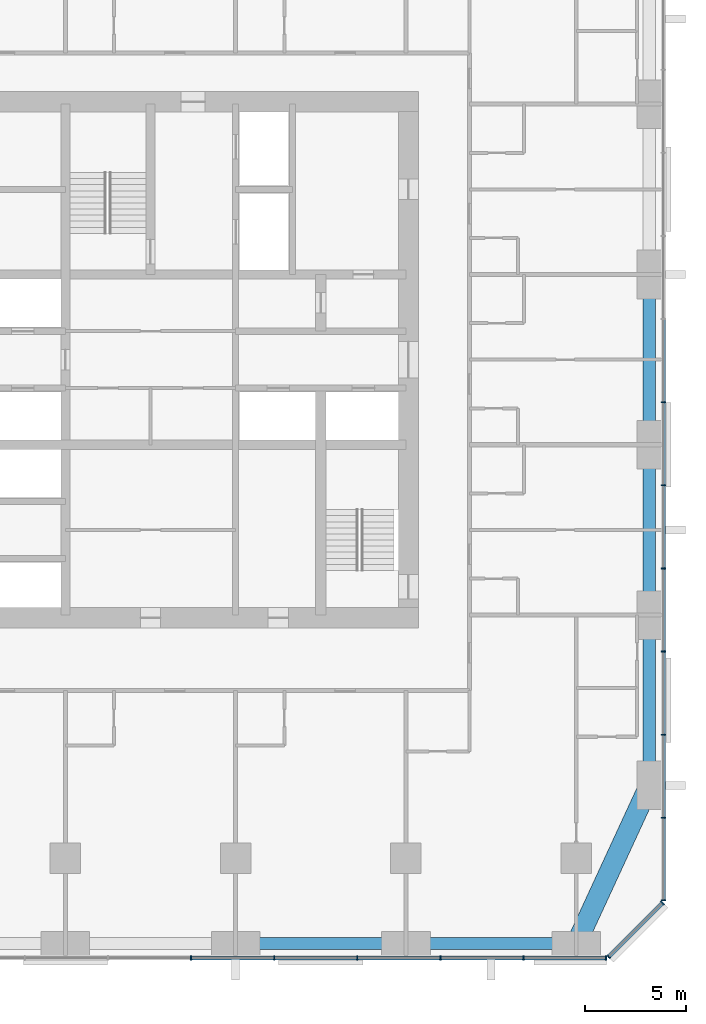
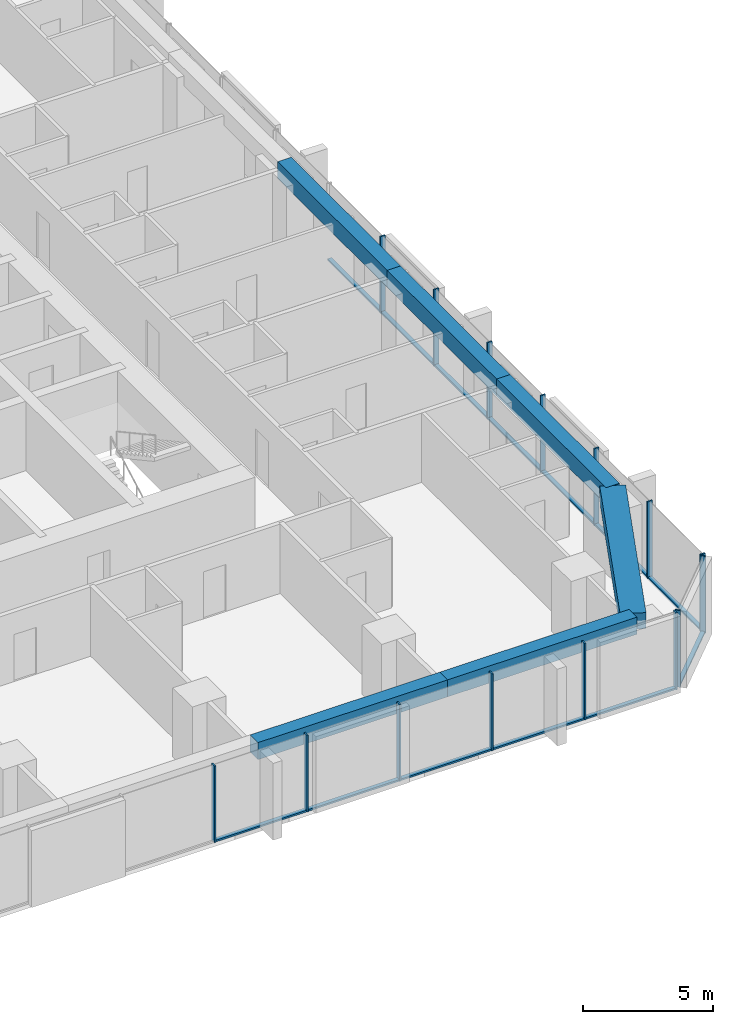
# One storey, part 4 of 13: 28 members, 6 beams, 3 elements without a shape of their own.
"""IFC4 building model written with IfcOpenShell, lengths in metres."""

import ifcopenshell
import ifcopenshell.guid

model = None  # the IFC model being written
_history = None  # IfcOwnerHistory: only IFC2X3 demands one
_inside = {}  # id of a spatial element -> (the spatial element, [elements in it])
_under = {}  # id of a project, library or spatial element -> (it, [spatial elements below it])
_declared = {}  # id of a project -> (the project, [libraries it declares])
_typed = {}  # id of a type object -> (the type object, [elements of that type])
_made_of = {}  # id of a material, layer set ... -> (it, [elements and type objects made of it])


def new_model(schema):
    """Start an empty IFC model of exactly this schema.

    Asked for "IFC4X3", IfcOpenShell would pick the latest addendum, in which some entities
    have other attributes; the version numbers below select the first issue.
    IFC2X3 requires an IfcOwnerHistory on every rooted entity: one is made here for all.
    """
    global model, _history
    if schema == "IFC4X3":
        model = ifcopenshell.file(schema_version=(4, 3, 0, 0))
    else:
        model = ifcopenshell.file(schema=schema)
    _inside.clear()
    _under.clear()
    _declared.clear()
    _typed.clear()
    _made_of.clear()
    _history = None
    if model.schema == "IFC2X3":
        org = make("IfcOrganization", Name="unknown")
        user = make(
            "IfcPersonAndOrganization",
            ThePerson=make("IfcPerson", FamilyName="unknown"),
            TheOrganization=org,
        )
        app = make(
            "IfcApplication",
            ApplicationDeveloper=org,
            Version="unknown",
            ApplicationFullName="unknown",
            ApplicationIdentifier="unknown",
        )
        _history = make(
            "IfcOwnerHistory",
            OwningUser=user,
            OwningApplication=app,
            ChangeAction="ADDED",
            CreationDate=0,
        )
    return model


def make(cls, **values):
    """One entity of the class cls with the attributes given. An attribute that is None is left unset."""
    return model.create_entity(
        cls, **{name: value for name, value in values.items() if value is not None}
    )


def rooted(cls, **values):
    """An entity with a GlobalId (a new one), such as an element, a storey or a relation."""
    return make(cls, GlobalId=ifcopenshell.guid.new(), OwnerHistory=_history, **values)


def si_unit(unit_type, name, prefix=None):
    """IfcSIUnit, for example si_unit("LENGTHUNIT", "METRE", prefix="MILLI")."""
    return make("IfcSIUnit", UnitType=unit_type, Prefix=prefix, Name=name)


def assignment(units):
    """IfcUnitAssignment: the units of a project."""
    return None if units is None else make("IfcUnitAssignment", Units=units)


def point(xyz):
    """IfcCartesianPoint."""
    return None if xyz is None else make("IfcCartesianPoint", Coordinates=xyz)


def direction(xyz):
    """IfcDirection."""
    return None if xyz is None else make("IfcDirection", DirectionRatios=xyz)


def frame(location, z_axis=None, x_axis=None):
    """IfcAxis2Placement3D, a coordinate frame: its origin and axes. An axis left out is left unset."""
    return make(
        "IfcAxis2Placement3D",
        Location=point(location),
        Axis=direction(z_axis),
        RefDirection=direction(x_axis),
    )


def frame_2d(location, x_axis=None):
    """IfcAxis2Placement2D, a coordinate frame in the plane: its origin and x axis."""
    return make(
        "IfcAxis2Placement2D", Location=point(location), RefDirection=direction(x_axis)
    )


def origin():
    """The frame at (0, 0, 0) with its axes left unset."""
    return frame((0.0, 0.0, 0.0))


def origin_2d():
    """The frame at (0, 0) in the plane with its x axis left unset."""
    return frame_2d((0.0, 0.0))


def place(relative_to, where):
    """IfcLocalPlacement: puts the frame where relative to a parent placement (None: the world)."""
    return make(
        "IfcLocalPlacement", PlacementRelTo=relative_to, RelativePlacement=where
    )


def context(
    kind, dimensions, precision=None, world=None, true_north=None, identifier=None
):
    """IfcGeometricRepresentationContext, for example the 3D "Model" context."""
    return make(
        "IfcGeometricRepresentationContext",
        ContextIdentifier=identifier,
        ContextType=kind,
        CoordinateSpaceDimension=dimensions,
        Precision=precision,
        WorldCoordinateSystem=world,
        TrueNorth=true_north,
    )


def subcontext(parent, identifier, kind, view, scale=None):
    """IfcGeometricRepresentationSubContext, for example "Body" below "Model"."""
    return make(
        "IfcGeometricRepresentationSubContext",
        ContextIdentifier=identifier,
        ContextType=kind,
        ParentContext=parent,
        TargetScale=scale,
        TargetView=view,
    )


def project(units=None, contexts=None):
    """IfcProject with its units and contexts."""
    return rooted(
        "IfcProject",
        Name="project",
        RepresentationContexts=contexts,
        UnitsInContext=assignment(units),
    )


def spatial(cls, under=None, at=None, **own):
    """A site, building, storey or space (cls), placed at a placement, below another one or the project."""
    s = rooted(cls, ObjectPlacement=at, **own)
    if under is not None:
        _under.setdefault(under.id(), (under, []))[1].append(s)
    return s


def profile(cls, at=None, kind="AREA", **sizes):
    """A parametric profile (cls). Its sizes go by their IFC names, for example OverallWidth=200.0."""
    return make(cls, ProfileType=kind, Position=at, **sizes)


def rectangle(**sizes):
    """IfcRectangleProfileDef."""
    return profile("IfcRectangleProfileDef", **sizes)


def extrude(swept, where, along, depth):
    """IfcExtrudedAreaSolid: the profile swept, set in the frame where, extruded along a direction by depth."""
    return make(
        "IfcExtrudedAreaSolid",
        SweptArea=swept,
        Position=where,
        ExtrudedDirection=direction(along),
        Depth=depth,
    )


def shape(context_of_items, identifier, shape_type, items):
    """IfcShapeRepresentation: the items that make up one representation, for example the "Body"."""
    return make(
        "IfcShapeRepresentation",
        ContextOfItems=context_of_items,
        RepresentationIdentifier=identifier,
        RepresentationType=shape_type,
        Items=items,
    )


def material(Name=None, Category=None):
    """IfcMaterial."""
    return make("IfcMaterial", Name=Name, Category=Category)


def material_profile(
    of_material, cross_section, Name=None, Category=None, Priority=None
):
    """IfcMaterialProfile: a cross section and its material."""
    return make(
        "IfcMaterialProfile",
        Name=Name,
        Material=of_material,
        Profile=cross_section,
        Priority=Priority,
        Category=Category,
    )


def profile_set(profiles, Name=None, composite=None):
    """IfcMaterialProfileSet."""
    return make(
        "IfcMaterialProfileSet",
        Name=Name,
        MaterialProfiles=profiles,
        CompositeProfile=composite,
    )


def made_of(thing, what):
    """Note that an element or type object is made of a material, layer set ...; save() writes the relation."""
    if what is not None:
        _made_of.setdefault(what.id(), (what, []))[1].append(thing)
    return thing


def type_object(cls, material=None, **own):
    """A type object (cls), such as IfcWallType, which elements share."""
    return made_of(rooted(cls, **own), material)


def element(
    cls,
    number,
    at=None,
    inside=None,
    cuts=None,
    type_object=None,
    material=None,
    context=None,
    identifier="Body",
    shape_type=None,
    held_by="IfcProductDefinitionShape",
    body=None,
    shapes=None,
    **own,
):
    """One element of the class cls, such as IfcWall. Its Tag is "e" and its number.

    at: its placement. inside: the storey or other place that contains it. cuts: it is an
    opening in that element (IfcRelVoidsElement). A single representation is given by context,
    identifier, shape_type and body (its items); several are given by shapes. held_by: the class
    of the entity that holds the representations. save() writes the other relations.
    """
    e = rooted(cls, Tag="e%d" % number, ObjectPlacement=at, **own)
    if body is not None:
        shapes = [shape(context, identifier, shape_type, body)]
    if shapes is not None:
        e.Representation = make(held_by, Representations=shapes)
    if inside is not None:
        _inside.setdefault(inside.id(), (inside, []))[1].append(e)
    if cuts is not None:
        rooted(
            "IfcRelVoidsElement", RelatingBuildingElement=cuts, RelatedOpeningElement=e
        )
    if type_object is not None:
        _typed.setdefault(type_object.id(), (type_object, []))[1].append(e)
    return made_of(e, material)


def aggregate(whole, parts):
    """IfcRelAggregates: a whole, such as a stair, and the parts it consists of."""
    return rooted("IfcRelAggregates", RelatingObject=whole, RelatedObjects=parts)


def save(model, path):
    """Write the relations noted so far, then the file.

    IfcRelAggregates (storeys below a building ...), IfcRelContainedInSpatialStructure (elements
    in a storey), IfcRelDefinesByType, IfcRelAssociatesMaterial and IfcRelDeclares: one each for
    every whole, place, type object, material and project.
    """
    for whole, parts in _under.values():
        aggregate(whole, parts)
    for where, things in _inside.values():
        rooted(
            "IfcRelContainedInSpatialStructure",
            RelatedElements=things,
            RelatingStructure=where,
        )
    for kind, things in _typed.values():
        rooted("IfcRelDefinesByType", RelatedObjects=things, RelatingType=kind)
    for what, things in _made_of.values():
        rooted("IfcRelAssociatesMaterial", RelatedObjects=things, RelatingMaterial=what)
    for by, libraries in _declared.values():
        rooted("IfcRelDeclares", RelatingContext=by, RelatedDefinitions=libraries)
    model.write(path)


model = new_model("IFC4")

# Units and contexts
model_context = context("Model", 3, precision=1e-05, world=origin(), true_north=direction((0.0, 1.0)))
body_context = subcontext(model_context, "Body", "Model", "MODEL_VIEW")
ifc_project = project(units=[si_unit("LENGTHUNIT", "METRE"), si_unit("AREAUNIT", "SQUARE_METRE"), si_unit("VOLUMEUNIT", "CUBIC_METRE"), si_unit("PLANEANGLEUNIT", "RADIAN"), si_unit("MASSUNIT", "GRAM", prefix="KILO")], contexts=[model_context])

# Site, building, storey
site_placement = place(None, origin())
site = spatial("IfcSite", under=ifc_project, at=site_placement, CompositionType="ELEMENT")
building_placement = place(site_placement, origin())
building = spatial("IfcBuilding", under=site, at=building_placement, Name="Dunama Terrace Hotel", CompositionType="ELEMENT")
storey_placement = place(building_placement, frame((0.0, 0.0, 118.800048828125)))
storey = spatial("IfcBuildingStorey", under=building, at=storey_placement, Name="L30", CompositionType="ELEMENT", Elevation=118.800048828125)

# Curtain wall, members
ifc_material_1 = material(Name="Aluminium curtain wall system", Category="aluminium")
curtain_wall_type = type_object("IfcCurtainWallType", Name="Unitised fritted glass wall CW-B", PredefinedType="NOTDEFINED", material=ifc_material_1)
curtain_wall_1_placement = place(storey_placement, origin())
curtain_wall_1 = element("IfcCurtainWall", 1, at=curtain_wall_1_placement, inside=storey, type_object=curtain_wall_type, Name="Unitised fritted glass wall CW-B L30", PredefinedType="NOTDEFINED")
ifc_material_2 = material(Name="Aluminium mullion", Category="aluminium")
ifc_material_profile_1 = material_profile(ifc_material_2, rectangle(XDim=0.06494140625, YDim=0.219970703125, at=origin_2d()), Name="CWB MULLION 65X220")
ifc_profile_set_1 = profile_set([ifc_material_profile_1], Name="Aluminium mullion")
member_type_1 = type_object("IfcMemberType", Name="CWB mullion 65x220", PredefinedType="MULLION", material=ifc_profile_set_1)
member_1_placement = place(storey_placement, frame((31.39990234375, -0.110107421875, 0.0), z_axis=(0.0, 0.0, 1.0), x_axis=(1.0, 0.0, 0.0)))
member_1 = element("IfcMember", 2, at=member_1_placement, type_object=member_type_1, Name="CWB mullion", PredefinedType="MULLION", context=body_context, shape_type="SweptSolid", body=[
    extrude(rectangle(XDim=0.06494140625, YDim=0.219970703125, at=origin_2d()), origin(), (0.0, 0.0, 1.0), 3.599853515625),
])
member_2_placement = place(storey_placement, frame((35.5, -0.110107421875, 0.0), z_axis=(0.0, 0.0, 1.0), x_axis=(1.0, 0.0, 0.0)))
member_2 = element("IfcMember", 3, at=member_2_placement, type_object=member_type_1, Name="CWB mullion", PredefinedType="MULLION", context=body_context, shape_type="SweptSolid", body=[
    extrude(rectangle(XDim=0.06494140625, YDim=0.219970703125, at=origin_2d()), origin(), (0.0, 0.0, 1.0), 3.599853515625),
])
member_3_placement = place(storey_placement, frame((39.60009765625, -0.110107421875, 0.0), z_axis=(0.0, 0.0, 1.0), x_axis=(1.0, 0.0, 0.0)))
member_3 = element("IfcMember", 4, at=member_3_placement, type_object=member_type_1, Name="CWB mullion", PredefinedType="MULLION", context=body_context, shape_type="SweptSolid", body=[
    extrude(rectangle(XDim=0.06494140625, YDim=0.219970703125, at=origin_2d()), origin(), (0.0, 0.0, 1.0), 3.599853515625),
])
member_4_placement = place(storey_placement, frame((43.699951171875, -0.110107421875, 0.0), z_axis=(0.0, 0.0, 1.0), x_axis=(1.0, 0.0, 0.0)))
member_4 = element("IfcMember", 5, at=member_4_placement, type_object=member_type_1, Name="CWB mullion", PredefinedType="MULLION", context=body_context, shape_type="SweptSolid", body=[
    extrude(rectangle(XDim=0.06494140625, YDim=0.219970703125, at=origin_2d()), origin(), (0.0, 0.0, 1.0), 3.599853515625),
])
member_5_placement = place(storey_placement, frame((47.800048828125, -0.110107421875, 0.0), z_axis=(0.0, 0.0, 1.0), x_axis=(1.0, 0.0, 0.0)))
member_5 = element("IfcMember", 6, at=member_5_placement, type_object=member_type_1, Name="CWB mullion", PredefinedType="MULLION", context=body_context, shape_type="SweptSolid", body=[
    extrude(rectangle(XDim=0.06494140625, YDim=0.219970703125, at=origin_2d()), origin(), (0.0, 0.0, 1.0), 3.599853515625),
])
member_6_placement = place(storey_placement, frame((51.866943359375, -0.110107421875, 0.0), z_axis=(0.0, 0.0, 1.0), x_axis=(1.0, 0.0, 0.0)))
member_6 = element("IfcMember", 7, at=member_6_placement, type_object=member_type_1, Name="CWB mullion", PredefinedType="MULLION", context=body_context, shape_type="SweptSolid", body=[
    extrude(rectangle(XDim=0.06494140625, YDim=0.219970703125, at=origin_2d()), origin(), (0.0, 0.0, 1.0), 3.599853515625),
])

curtain_wall_2_placement = place(storey_placement, origin())
curtain_wall_2 = element("IfcCurtainWall", 8, at=curtain_wall_2_placement, inside=storey, type_object=curtain_wall_type, Name="Unitised fritted glass wall CW-B L30", PredefinedType="NOTDEFINED")
member_7_placement = place(storey_placement, frame((52.0009765625, -0.054931640625, 0.0), z_axis=(0.0, 0.0, 1.0), x_axis=(0.707106781187, 0.707106781187, 0.0)))
member_7 = element("IfcMember", 9, at=member_7_placement, type_object=member_type_1, Name="CWB mullion", PredefinedType="MULLION", context=body_context, shape_type="SweptSolid", body=[
    extrude(rectangle(XDim=0.06494140625, YDim=0.219970703125, at=origin_2d()), origin(), (0.0, 0.0, 1.0), 3.599853515625),
])
member_8_placement = place(storey_placement, frame((54.655029296875, 2.59912109375, 0.0), z_axis=(0.0, 0.0, 1.0), x_axis=(0.707106781187, 0.707106781187, 0.0)))
member_8 = element("IfcMember", 10, at=member_8_placement, type_object=member_type_1, Name="CWB mullion", PredefinedType="MULLION", context=body_context, shape_type="SweptSolid", body=[
    extrude(rectangle(XDim=0.06494140625, YDim=0.219970703125, at=origin_2d()), origin(), (0.0, 0.0, 1.0), 3.599853515625),
])

curtain_wall_3_placement = place(storey_placement, origin())
curtain_wall_3 = element("IfcCurtainWall", 11, at=curtain_wall_3_placement, inside=storey, type_object=curtain_wall_type, Name="Unitised fritted glass wall CW-B L30", PredefinedType="NOTDEFINED")
member_9_placement = place(storey_placement, frame((54.7099609375, 2.73291015625, 0.0), z_axis=(0.0, 0.0, 1.0), x_axis=(0.0, 1.0, 0.0)))
member_9 = element("IfcMember", 12, at=member_9_placement, type_object=member_type_1, Name="CWB mullion", PredefinedType="MULLION", context=body_context, shape_type="SweptSolid", body=[
    extrude(rectangle(XDim=0.06494140625, YDim=0.219970703125, at=origin_2d()), origin(), (0.0, 0.0, 1.0), 3.599853515625),
])
member_10_placement = place(storey_placement, frame((54.7099609375, 6.800048828125, 0.0), z_axis=(0.0, 0.0, 1.0), x_axis=(0.0, 1.0, 0.0)))
member_10 = element("IfcMember", 13, at=member_10_placement, type_object=member_type_1, Name="CWB mullion", PredefinedType="MULLION", context=body_context, shape_type="SweptSolid", body=[
    extrude(rectangle(XDim=0.06494140625, YDim=0.219970703125, at=origin_2d()), origin(), (0.0, 0.0, 1.0), 3.599853515625),
])
member_11_placement = place(storey_placement, frame((54.7099609375, 10.89990234375, 0.0), z_axis=(0.0, 0.0, 1.0), x_axis=(0.0, 1.0, 0.0)))
member_11 = element("IfcMember", 14, at=member_11_placement, type_object=member_type_1, Name="CWB mullion", PredefinedType="MULLION", context=body_context, shape_type="SweptSolid", body=[
    extrude(rectangle(XDim=0.06494140625, YDim=0.219970703125, at=origin_2d()), origin(), (0.0, 0.0, 1.0), 3.599853515625),
])
member_12_placement = place(storey_placement, frame((54.7099609375, 15.0, 0.0), z_axis=(0.0, 0.0, 1.0), x_axis=(0.0, 1.0, 0.0)))
member_12 = element("IfcMember", 15, at=member_12_placement, type_object=member_type_1, Name="CWB mullion", PredefinedType="MULLION", context=body_context, shape_type="SweptSolid", body=[
    extrude(rectangle(XDim=0.06494140625, YDim=0.219970703125, at=origin_2d()), origin(), (0.0, 0.0, 1.0), 3.599853515625),
])
member_13_placement = place(storey_placement, frame((54.7099609375, 19.10009765625, 0.0), z_axis=(0.0, 0.0, 1.0), x_axis=(0.0, 1.0, 0.0)))
member_13 = element("IfcMember", 16, at=member_13_placement, type_object=member_type_1, Name="CWB mullion", PredefinedType="MULLION", context=body_context, shape_type="SweptSolid", body=[
    extrude(rectangle(XDim=0.06494140625, YDim=0.219970703125, at=origin_2d()), origin(), (0.0, 0.0, 1.0), 3.599853515625),
])
member_14_placement = place(storey_placement, frame((54.7099609375, 23.199951171875, 0.0), z_axis=(0.0, 0.0, 1.0), x_axis=(0.0, 1.0, 0.0)))
member_14 = element("IfcMember", 17, at=member_14_placement, type_object=member_type_1, Name="CWB mullion", PredefinedType="MULLION", context=body_context, shape_type="SweptSolid", body=[
    extrude(rectangle(XDim=0.06494140625, YDim=0.219970703125, at=origin_2d()), origin(), (0.0, 0.0, 1.0), 3.599853515625),
])
member_15_placement = place(storey_placement, frame((54.7099609375, 27.300048828125, 0.0), z_axis=(0.0, 0.0, 1.0), x_axis=(0.0, 1.0, 0.0)))
member_15 = element("IfcMember", 18, at=member_15_placement, type_object=member_type_1, Name="CWB mullion", PredefinedType="MULLION", context=body_context, shape_type="SweptSolid", body=[
    extrude(rectangle(XDim=0.06494140625, YDim=0.219970703125, at=origin_2d()), origin(), (0.0, 0.0, 1.0), 3.599853515625),
])

# Member
ifc_material_3 = material(Name="Aluminium transom", Category="aluminium")
ifc_material_profile_2 = material_profile(ifc_material_3, rectangle(XDim=0.179931640625, YDim=0.080078125, at=origin_2d()), Name="CWB TRANSOM 180X80")
ifc_profile_set_2 = profile_set([ifc_material_profile_2], Name="Aluminium transom")
member_type_2 = type_object("IfcMemberType", Name="CWB transom 180x80", PredefinedType="USERDEFINED", material=ifc_profile_set_2)
member_16_placement = place(storey_placement, frame((31.431884765625, -0.110107421875, 0.0400390625), z_axis=(1.0, 0.0, 0.0), x_axis=(0.0, 1.0, 0.0)))
member_16 = element("IfcMember", 19, at=member_16_placement, type_object=member_type_2, Name="CWB transom", ObjectType="TRANSOM", PredefinedType="USERDEFINED", context=body_context, shape_type="SweptSolid", body=[
    extrude(rectangle(XDim=0.179931640625, YDim=0.080078125, at=origin_2d()), origin(), (0.0, 0.0, 1.0), 4.0361328125),
])

member_17_placement = place(storey_placement, frame((35.531982421875, -0.110107421875, 0.0400390625), z_axis=(1.0, 0.0, 0.0), x_axis=(0.0, 1.0, 0.0)))
member_17 = element("IfcMember", 20, at=member_17_placement, type_object=member_type_2, Name="CWB transom", ObjectType="TRANSOM", PredefinedType="USERDEFINED", context=body_context, shape_type="SweptSolid", body=[
    extrude(rectangle(XDim=0.179931640625, YDim=0.080078125, at=origin_2d()), origin(), (0.0, 0.0, 1.0), 4.0361328125),
])

member_18_placement = place(storey_placement, frame((39.633056640625, -0.110107421875, 0.0400390625), z_axis=(1.0, 0.0, 0.0), x_axis=(0.0, 1.0, 0.0)))
member_18 = element("IfcMember", 21, at=member_18_placement, type_object=member_type_2, Name="CWB transom", ObjectType="TRANSOM", PredefinedType="USERDEFINED", context=body_context, shape_type="SweptSolid", body=[
    extrude(rectangle(XDim=0.179931640625, YDim=0.080078125, at=origin_2d()), origin(), (0.0, 0.0, 1.0), 4.034912109375),
])

member_19_placement = place(storey_placement, frame((43.73291015625, -0.110107421875, 0.0400390625), z_axis=(1.0, 0.0, 0.0), x_axis=(0.0, 1.0, 0.0)))
member_19 = element("IfcMember", 22, at=member_19_placement, type_object=member_type_2, Name="CWB transom", ObjectType="TRANSOM", PredefinedType="USERDEFINED", context=body_context, shape_type="SweptSolid", body=[
    extrude(rectangle(XDim=0.179931640625, YDim=0.080078125, at=origin_2d()), origin(), (0.0, 0.0, 1.0), 4.0341796875),
])

member_20_placement = place(storey_placement, frame((47.83203125, -0.110107421875, 0.0400390625), z_axis=(1.0, 0.0, 0.0), x_axis=(0.0, 1.0, 0.0)))
member_20 = element("IfcMember", 23, at=member_20_placement, type_object=member_type_2, Name="CWB transom", ObjectType="TRANSOM", PredefinedType="USERDEFINED", context=body_context, shape_type="SweptSolid", body=[
    extrude(rectangle(XDim=0.179931640625, YDim=0.080078125, at=origin_2d()), origin(), (0.0, 0.0, 1.0), 4.0029296875),
])

aggregate(curtain_wall_1, [member_1, member_2, member_3, member_4, member_5, member_6, member_16, member_17, member_18, member_19, member_20])

member_21_placement = place(storey_placement, frame((52.02392578125, -0.031982421875, 0.0400390625), z_axis=(0.707139876915, 0.707073683909, 0.0), x_axis=(-0.707073683909, 0.707139876915, 0.0)))
member_21 = element("IfcMember", 24, at=member_21_placement, type_object=member_type_2, Name="CWB transom", ObjectType="TRANSOM", PredefinedType="USERDEFINED", context=body_context, shape_type="SweptSolid", body=[
    extrude(rectangle(XDim=0.179931640625, YDim=0.080078125, at=origin_2d()), origin(), (0.0, 0.0, 1.0), 3.688232421875),
])

aggregate(curtain_wall_2, [member_7, member_8, member_21])

member_22_placement = place(storey_placement, frame((54.7099609375, 2.764892578125, 0.0400390625), z_axis=(0.0, 1.0, 0.0), x_axis=(-1.0, 0.0, 0.0)))
member_22 = element("IfcMember", 25, at=member_22_placement, type_object=member_type_2, Name="CWB transom", ObjectType="TRANSOM", PredefinedType="USERDEFINED", context=body_context, shape_type="SweptSolid", body=[
    extrude(rectangle(XDim=0.179931640625, YDim=0.080078125, at=origin_2d()), origin(), (0.0, 0.0, 1.0), 4.003173828125),
])

member_23_placement = place(storey_placement, frame((54.7099609375, 6.83203125, 0.0400390625), z_axis=(0.0, 1.0, 0.0), x_axis=(-1.0, 0.0, 0.0)))
member_23 = element("IfcMember", 26, at=member_23_placement, type_object=member_type_2, Name="CWB transom", ObjectType="TRANSOM", PredefinedType="USERDEFINED", context=body_context, shape_type="SweptSolid", body=[
    extrude(rectangle(XDim=0.179931640625, YDim=0.080078125, at=origin_2d()), origin(), (0.0, 0.0, 1.0), 4.034912109375),
])

member_24_placement = place(storey_placement, frame((54.7099609375, 10.93310546875, 0.0400390625), z_axis=(0.0, 1.0, 0.0), x_axis=(-1.0, 0.0, 0.0)))
member_24 = element("IfcMember", 27, at=member_24_placement, type_object=member_type_2, Name="CWB transom", ObjectType="TRANSOM", PredefinedType="USERDEFINED", context=body_context, shape_type="SweptSolid", body=[
    extrude(rectangle(XDim=0.179931640625, YDim=0.080078125, at=origin_2d()), origin(), (0.0, 0.0, 1.0), 4.033935546875),
])

member_25_placement = place(storey_placement, frame((54.7099609375, 15.031982421875, 0.0400390625), z_axis=(0.0, 1.0, 0.0), x_axis=(-1.0, 0.0, 0.0)))
member_25 = element("IfcMember", 28, at=member_25_placement, type_object=member_type_2, Name="CWB transom", ObjectType="TRANSOM", PredefinedType="USERDEFINED", context=body_context, shape_type="SweptSolid", body=[
    extrude(rectangle(XDim=0.179931640625, YDim=0.080078125, at=origin_2d()), origin(), (0.0, 0.0, 1.0), 4.034912109375),
])

member_26_placement = place(storey_placement, frame((54.7099609375, 19.132080078125, 0.0400390625), z_axis=(0.0, 1.0, 0.0), x_axis=(-1.0, 0.0, 0.0)))
member_26 = element("IfcMember", 29, at=member_26_placement, type_object=member_type_2, Name="CWB transom", ObjectType="TRANSOM", PredefinedType="USERDEFINED", context=body_context, shape_type="SweptSolid", body=[
    extrude(rectangle(XDim=0.179931640625, YDim=0.080078125, at=origin_2d()), origin(), (0.0, 0.0, 1.0), 4.035888671875),
])

member_27_placement = place(storey_placement, frame((54.7099609375, 23.23193359375, 0.0400390625), z_axis=(0.0, 1.0, 0.0), x_axis=(-1.0, 0.0, 0.0)))
member_27 = element("IfcMember", 30, at=member_27_placement, type_object=member_type_2, Name="CWB transom", ObjectType="TRANSOM", PredefinedType="USERDEFINED", context=body_context, shape_type="SweptSolid", body=[
    extrude(rectangle(XDim=0.179931640625, YDim=0.080078125, at=origin_2d()), origin(), (0.0, 0.0, 1.0), 4.03515625),
])

member_28_placement = place(storey_placement, frame((54.7099609375, 27.33203125, 0.0400390625), z_axis=(0.0, 1.0, 0.0), x_axis=(-1.0, 0.0, 0.0)))
member_28 = element("IfcMember", 31, at=member_28_placement, type_object=member_type_2, Name="CWB transom", ObjectType="TRANSOM", PredefinedType="USERDEFINED", context=body_context, shape_type="SweptSolid", body=[
    extrude(rectangle(XDim=0.179931640625, YDim=0.080078125, at=origin_2d()), origin(), (0.0, 0.0, 1.0), 4.034912109375),
])

aggregate(curtain_wall_3, [member_9, member_10, member_11, member_12, member_13, member_14, member_15, member_22, member_23, member_24, member_25, member_26, member_27, member_28])

# Beams
ifc_material_4 = material(Name="Concrete C50/60", Category="concrete")
ifc_material_profile_3 = material_profile(ifc_material_4, rectangle(XDim=1.0, YDim=0.75, at=origin_2d()), Name="RC 1000x750")
ifc_profile_set_3 = profile_set([ifc_material_profile_3], Name="Concrete C50/60")
beam_type_1 = type_object("IfcBeamType", Name="Edge beam RC 1000x750", PredefinedType="SPANDREL", material=ifc_profile_set_3)
beam_1_placement = place(storey_placement, frame((50.39990234375, 0.60009765625, 3.224853515625), z_axis=(0.419076199598, 0.907951066374, 0.0), x_axis=(-0.907951066374, 0.419076199598, 0.0)))
element("IfcBeam", 32, at=beam_1_placement, inside=storey, type_object=beam_type_1, Name="Corner edge beam under L31", PredefinedType="SPANDREL", context=body_context, shape_type="SweptSolid", body=[
    extrude(rectangle(XDim=1.0, YDim=0.75, at=origin_2d()), origin(), (0.0, 0.0, 1.0), 8.590576171875),
])
ifc_material_5 = material(Name="Concrete C40/50", Category="concrete")
ifc_material_profile_4 = material_profile(ifc_material_5, rectangle(XDim=0.60009765625, YDim=0.800048828125, at=origin_2d()), Name="RC 600x800")
ifc_profile_set_4 = profile_set([ifc_material_profile_4], Name="Concrete C40/50")
beam_type_2 = type_object("IfcBeamType", Name="Edge beam RC 600x800", PredefinedType="SPANDREL", material=ifc_profile_set_4)
beam_2_placement = place(storey_placement, frame((54.0, 8.39990234375, 3.199951171875), z_axis=(0.0, 1.0, 0.0), x_axis=(-1.0, 0.0, 0.0)))
element("IfcBeam", 33, at=beam_2_placement, inside=storey, type_object=beam_type_2, Name="Edge beam under L31", PredefinedType="SPANDREL", context=body_context, shape_type="SweptSolid", body=[
    extrude(rectangle(XDim=0.60009765625, YDim=0.800048828125, at=origin_2d()), origin(), (0.0, 0.0, 1.0), 8.400146484375),
])
beam_3_placement = place(storey_placement, frame((54.0, 16.800048828125, 3.199951171875), z_axis=(0.0, 1.0, 0.0), x_axis=(-1.0, 0.0, 0.0)))
element("IfcBeam", 34, at=beam_3_placement, inside=storey, type_object=beam_type_2, Name="Edge beam under L31", PredefinedType="SPANDREL", context=body_context, shape_type="SweptSolid", body=[
    extrude(rectangle(XDim=0.60009765625, YDim=0.800048828125, at=origin_2d()), origin(), (0.0, 0.0, 1.0), 8.39990234375),
])
beam_4_placement = place(storey_placement, frame((54.0, 25.199951171875, 3.199951171875), z_axis=(0.0, 1.0, 0.0), x_axis=(-1.0, 0.0, 0.0)))
element("IfcBeam", 35, at=beam_4_placement, inside=storey, type_object=beam_type_2, Name="Edge beam under L31", PredefinedType="SPANDREL", context=body_context, shape_type="SweptSolid", body=[
    extrude(rectangle(XDim=0.60009765625, YDim=0.800048828125, at=origin_2d()), origin(), (0.0, 0.0, 1.0), 8.400146484375),
])
for number, where, z_axis, x_axis, name in (
    (36, (33.60009765625, 0.60009765625, 3.199951171875), (1.0, 0.0, 0.0), (0.0, 1.0, 0.0), "Edge beam under L31"),
    (37, (42.0, 0.60009765625, 3.199951171875), (1.0, 0.0, 0.0), (0.0, 1.0, 0.0), "Edge beam under L31"),
):
    element("IfcBeam", number, at=place(storey_placement, frame(where, z_axis=z_axis, x_axis=x_axis)), inside=storey, type_object=beam_type_2, Name=name, PredefinedType="SPANDREL", context=body_context, shape_type="SweptSolid", body=[
        extrude(rectangle(XDim=0.60009765625, YDim=0.800048828125, at=origin_2d()), origin(), (0.0, 0.0, 1.0), 8.39990234375),
    ])

save(model, "model.ifc")
